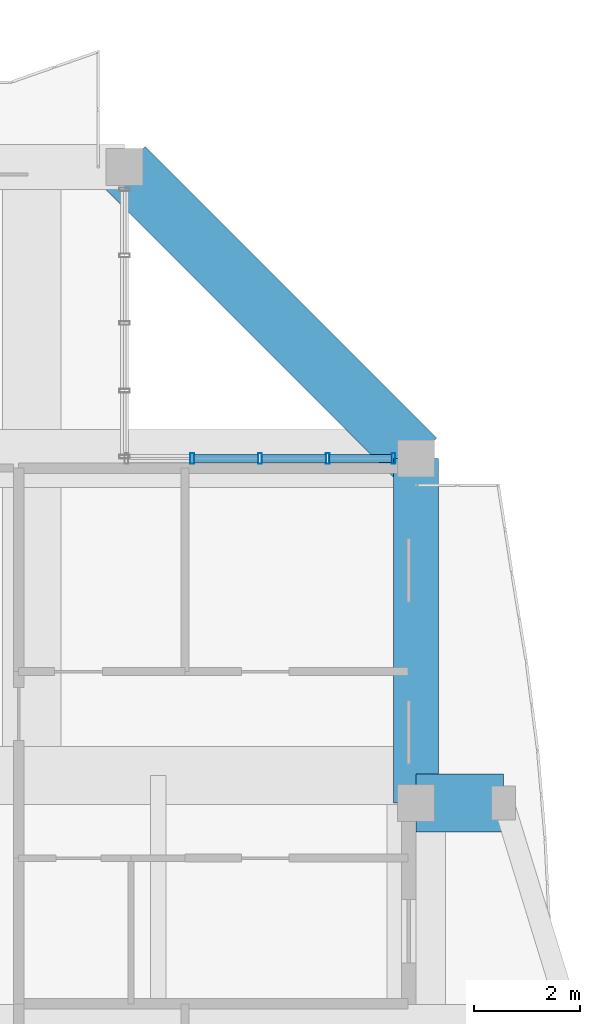
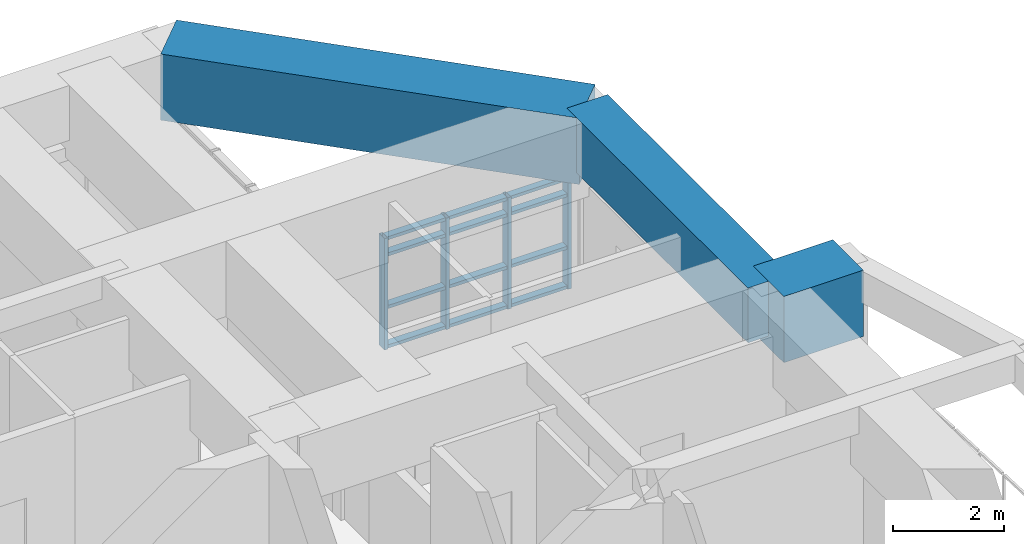
# One storey, part 13 of 27: 16 members, 3 beams, 1 element without a shape of its own.
"""IFC4 building model written with IfcOpenShell, lengths in metres."""

from ifc_helpers import new_model, si_unit, direction, frame, origin, origin_2d, place, context, subcontext, project, spatial, rectangle, hollow_rectangle, extrude, source, transform, mapped, material, layer, layer_set, material_profile, profile_set, type_object, element, aggregate, save


model = new_model("IFC4")

# Units and contexts
model_context = context("Model", 3, precision=1e-05, world=origin(), true_north=direction((0.0, 1.0)))
body_context = subcontext(model_context, "Body", "Model", "MODEL_VIEW")
ifc_project = project(units=[si_unit("LENGTHUNIT", "METRE"), si_unit("AREAUNIT", "SQUARE_METRE"), si_unit("VOLUMEUNIT", "CUBIC_METRE"), si_unit("PLANEANGLEUNIT", "RADIAN"), si_unit("MASSUNIT", "GRAM", prefix="KILO")], contexts=[model_context])

# Site, building, storey
site_placement = place(None, origin())
site = spatial("IfcSite", under=ifc_project, at=site_placement, CompositionType="ELEMENT")
building_placement = place(site_placement, origin())
building = spatial("IfcBuilding", under=site, at=building_placement, Name="Saelheon Loggia Tower", CompositionType="ELEMENT")
storey_placement = place(building_placement, frame((0.0, 0.0, 236.10009765625)))
storey = spatial("IfcBuildingStorey", under=building, at=storey_placement, Name="L73", CompositionType="ELEMENT", Elevation=236.10009765625)

# Beams
ifc_material_1 = material(Name="Concrete C50/60", Category="concrete")
ifc_material_profile_1 = material_profile(ifc_material_1, rectangle(XDim=1.10009765625, YDim=1.449951171875, at=origin_2d()), Name="RC-1100x1450")
ifc_profile_set_1 = profile_set([ifc_material_profile_1], Name="Concrete C50/60")
beam_type_1 = type_object("IfcBeamType", Name="Beam_PerimTransfer_RC1100x1450", PredefinedType="BEAM", material=ifc_profile_set_1)
shared_shape_1 = source(origin(), body_context, "Body", "SweptSolid", [
    extrude(rectangle(XDim=1.10009765625, YDim=1.449951171875, at=origin_2d()), origin(), (0.0, 0.0, 1.0), 1.64990234375),
])
beam_1_placement = place(storey_placement, frame((54.75, 36.0, 3.1748046875), z_axis=(1.0, 0.0, 0.0), x_axis=(0.0, 1.0, 0.0)))
element("IfcBeam", 1, at=beam_1_placement, inside=storey, type_object=beam_type_1, Name="L73 Loggia Frame Tie Beam LP-E2", PredefinedType="BEAM", context=body_context, shape_type="MappedRepresentation", body=[
    mapped(shared_shape_1, transform((0.0, 0.0, 0.0), scale=1.0)),
])
ifc_material_profile_2 = material_profile(ifc_material_1, rectangle(XDim=0.85009765625, YDim=1.199951171875, at=origin_2d()), Name="RC-850x1200")
ifc_profile_set_2 = profile_set([ifc_material_profile_2], Name="Concrete C50/60")
beam_type_2 = type_object("IfcBeamType", Name="Beam_CornerShoulder_RC850x1200", PredefinedType="BEAM", material=ifc_profile_set_2)
shared_shape_2 = source(origin(), body_context, "Body", "SweptSolid", [
    extrude(rectangle(XDim=0.85009765625, YDim=1.199951171875, at=origin_2d()), origin(), (0.0, 0.0, 1.0), 6.5),
])
beam_2_placement = place(storey_placement, frame((54.75, 36.0, 3.2998046875), z_axis=(0.0, 1.0, 0.0), x_axis=(-1.0, 0.0, 0.0)))
element("IfcBeam", 2, at=beam_2_placement, inside=storey, type_object=beam_type_2, Name="L73 Corner Shoulder Beam 07", PredefinedType="BEAM", context=body_context, shape_type="MappedRepresentation", body=[
    mapped(shared_shape_2, transform((0.0, 0.0, 0.0), scale=1.0)),
])
shared_shape_3 = source(origin(), body_context, "Body", "SweptSolid", [
    extrude(rectangle(XDim=1.10009765625, YDim=1.449951171875, at=origin_2d()), origin(), (0.0, 0.0, 1.0), 7.778076171875),
])
beam_3_placement = place(storey_placement, frame((54.75, 42.5, 3.1748046875), z_axis=(-0.707106781187, 0.707106781187, 0.0), x_axis=(-0.707106781187, -0.707106781187, 0.0)))
element("IfcBeam", 3, at=beam_3_placement, inside=storey, type_object=beam_type_1, Name="L73 Perimeter Frame Girder 08", PredefinedType="BEAM", context=body_context, shape_type="MappedRepresentation", body=[
    mapped(shared_shape_3, transform((0.0, 0.0, 0.0), scale=1.0)),
])

# Curtain wall, members
ifc_material_2 = material(Name="High-Wind Aluminium and Triple Laminated Glass", Category="aluminium")
ifc_layer = layer(ifc_material_2, 0.179931640625)
ifc_layer_set = layer_set([ifc_layer], Name="High-Wind Aluminium and Triple Laminated Glass")
curtain_wall_type = type_object("IfcCurtainWallType", Name="CW_TowerLoggiaHigh", PredefinedType="NOTDEFINED", material=ifc_layer_set)
curtain_wall_placement = place(storey_placement, origin())
curtain_wall = element("IfcCurtainWall", 4, at=curtain_wall_placement, inside=storey, type_object=curtain_wall_type, Name="L73 Corner Notch Glazing NE2", PredefinedType="NOTDEFINED")
ifc_material_3 = material(Name="Anodised Aluminium 6063-T6", Category="aluminium")
ifc_material_profile_3 = material_profile(ifc_material_3, hollow_rectangle(XDim=0.070068359375, YDim=0.199951171875, WallThickness=0.0048828125, at=origin_2d()), Name="RHS-200x70x5")
ifc_profile_set_3 = profile_set([ifc_material_profile_3], Name="Anodised Aluminium 6063-T6")
member_type_1 = type_object("IfcMemberType", Name="CW_TowerLoggiaHigh_Mullion", PredefinedType="MULLION", material=ifc_profile_set_3)
shared_shape_4 = source(origin(), body_context, "Body", "SweptSolid", [
    extrude(hollow_rectangle(XDim=0.070068359375, YDim=0.199951171875, WallThickness=0.0048828125, at=origin_2d()), origin(), (0.0, 0.0, 1.0), 2.43994140625),
])
member_1_placement = place(storey_placement, frame((50.527587890625, 42.5, 0.0), z_axis=(0.0, 0.0, 1.0), x_axis=(1.0, 0.0, 0.0)))
member_1 = element("IfcMember", 5, at=member_1_placement, type_object=member_type_1, Name="CW4 mullion 2", PredefinedType="MULLION", context=body_context, shape_type="MappedRepresentation", body=[
    mapped(shared_shape_4, transform((0.0, 0.0, 0.0), scale=1.0)),
])
member_2_placement = place(storey_placement, frame((51.804931640625, 42.5, 0.0), z_axis=(0.0, 0.0, 1.0), x_axis=(1.0, 0.0, 0.0)))
member_2 = element("IfcMember", 6, at=member_2_placement, type_object=member_type_1, Name="CW4 mullion 3", PredefinedType="MULLION", context=body_context, shape_type="MappedRepresentation", body=[
    mapped(shared_shape_4, transform((0.0, 0.0, 0.0), scale=1.0)),
])
member_3_placement = place(storey_placement, frame((53.08251953125, 42.5, 0.0), z_axis=(0.0, 0.0, 1.0), x_axis=(1.0, 0.0, 0.0)))
member_3 = element("IfcMember", 7, at=member_3_placement, type_object=member_type_1, Name="CW4 mullion 4", PredefinedType="MULLION", context=body_context, shape_type="MappedRepresentation", body=[
    mapped(shared_shape_4, transform((0.0, 0.0, 0.0), scale=1.0)),
])
member_4_placement = place(storey_placement, frame((54.324951171875, 42.5, 0.0), z_axis=(0.0, 0.0, 1.0), x_axis=(1.0, 0.0, 0.0)))
member_4 = element("IfcMember", 8, at=member_4_placement, type_object=member_type_1, Name="CW4 mullion 5", PredefinedType="MULLION", context=body_context, shape_type="MappedRepresentation", body=[
    mapped(shared_shape_4, transform((0.0, 0.0, 0.0), scale=1.0)),
])
ifc_material_profile_4 = material_profile(ifc_material_3, hollow_rectangle(XDim=0.070068359375, YDim=0.14990234375, WallThickness=0.0048828125, at=origin_2d()), Name="RHS-150x70x5")
ifc_profile_set_4 = profile_set([ifc_material_profile_4], Name="Anodised Aluminium 6063-T6")
member_type_2 = type_object("IfcMemberType", Name="CW_TowerLoggiaHigh_Transom", PredefinedType="USERDEFINED", material=ifc_profile_set_4)
shared_shape_5 = source(origin(), body_context, "Body", "SweptSolid", [
    extrude(hollow_rectangle(XDim=0.070068359375, YDim=0.14990234375, WallThickness=0.0048828125, at=origin_2d()), origin(), (0.0, 0.0, 1.0), 1.172607421875),
])
member_5_placement = place(storey_placement, frame((53.117431640625, 42.5, 0.034912109375), z_axis=(1.0, 0.0, 0.0), x_axis=(0.0, 0.0, 1.0)))
member_5 = element("IfcMember", 9, at=member_5_placement, type_object=member_type_2, Name="CW4 transom 4.1", ObjectType="TRANSOM", PredefinedType="USERDEFINED", context=body_context, shape_type="MappedRepresentation", body=[
    mapped(shared_shape_5, transform((0.0, 0.0, 0.0), scale=1.0)),
])
member_6_placement = place(storey_placement, frame((53.117431640625, 42.5, 0.89990234375), z_axis=(1.0, 0.0, 0.0), x_axis=(0.0, 0.0, 1.0)))
member_6 = element("IfcMember", 10, at=member_6_placement, type_object=member_type_2, Name="CW4 transom 4.2", ObjectType="TRANSOM", PredefinedType="USERDEFINED", context=body_context, shape_type="MappedRepresentation", body=[
    mapped(shared_shape_5, transform((0.0, 0.0, 0.0), scale=1.0)),
])
member_7_placement = place(storey_placement, frame((53.117431640625, 42.5, 2.0498046875), z_axis=(1.0, 0.0, 0.0), x_axis=(0.0, 0.0, 1.0)))
member_7 = element("IfcMember", 11, at=member_7_placement, type_object=member_type_2, Name="CW4 transom 4.3", ObjectType="TRANSOM", PredefinedType="USERDEFINED", context=body_context, shape_type="MappedRepresentation", body=[
    mapped(shared_shape_5, transform((0.0, 0.0, 0.0), scale=1.0)),
])
member_8_placement = place(storey_placement, frame((53.117431640625, 42.5, 2.40478515625), z_axis=(1.0, 0.0, 0.0), x_axis=(0.0, 0.0, 1.0)))
member_8 = element("IfcMember", 12, at=member_8_placement, type_object=member_type_2, Name="CW4 transom 4.4", ObjectType="TRANSOM", PredefinedType="USERDEFINED", context=body_context, shape_type="MappedRepresentation", body=[
    mapped(shared_shape_5, transform((0.0, 0.0, 0.0), scale=1.0)),
])
shared_shape_6 = source(origin(), body_context, "Body", "SweptSolid", [
    extrude(hollow_rectangle(XDim=0.070068359375, YDim=0.14990234375, WallThickness=0.0048828125, at=origin_2d()), origin(), (0.0, 0.0, 1.0), 1.20751953125),
])
member_9_placement = place(storey_placement, frame((50.5625, 42.5, 0.034912109375), z_axis=(1.0, 0.0, 0.0), x_axis=(0.0, 0.0, 1.0)))
member_9 = element("IfcMember", 13, at=member_9_placement, type_object=member_type_2, Name="CW4 transom 2.1", ObjectType="TRANSOM", PredefinedType="USERDEFINED", context=body_context, shape_type="MappedRepresentation", body=[
    mapped(shared_shape_6, transform((0.0, 0.0, 0.0), scale=1.0)),
])
member_10_placement = place(storey_placement, frame((50.5625, 42.5, 0.89990234375), z_axis=(1.0, 0.0, 0.0), x_axis=(0.0, 0.0, 1.0)))
member_10 = element("IfcMember", 14, at=member_10_placement, type_object=member_type_2, Name="CW4 transom 2.2", ObjectType="TRANSOM", PredefinedType="USERDEFINED", context=body_context, shape_type="MappedRepresentation", body=[
    mapped(shared_shape_6, transform((0.0, 0.0, 0.0), scale=1.0)),
])
member_11_placement = place(storey_placement, frame((50.5625, 42.5, 2.0498046875), z_axis=(1.0, 0.0, 0.0), x_axis=(0.0, 0.0, 1.0)))
member_11 = element("IfcMember", 15, at=member_11_placement, type_object=member_type_2, Name="CW4 transom 2.3", ObjectType="TRANSOM", PredefinedType="USERDEFINED", context=body_context, shape_type="MappedRepresentation", body=[
    mapped(shared_shape_6, transform((0.0, 0.0, 0.0), scale=1.0)),
])
member_12_placement = place(storey_placement, frame((50.5625, 42.5, 2.40478515625), z_axis=(1.0, 0.0, 0.0), x_axis=(0.0, 0.0, 1.0)))
member_12 = element("IfcMember", 16, at=member_12_placement, type_object=member_type_2, Name="CW4 transom 2.4", ObjectType="TRANSOM", PredefinedType="USERDEFINED", context=body_context, shape_type="MappedRepresentation", body=[
    mapped(shared_shape_6, transform((0.0, 0.0, 0.0), scale=1.0)),
])
member_13_placement = place(storey_placement, frame((51.840087890625, 42.5, 0.034912109375), z_axis=(1.0, 0.0, 0.0), x_axis=(0.0, 0.0, 1.0)))
member_13 = element("IfcMember", 17, at=member_13_placement, type_object=member_type_2, Name="CW4 transom 3.1", ObjectType="TRANSOM", PredefinedType="USERDEFINED", context=body_context, shape_type="MappedRepresentation", body=[
    mapped(shared_shape_6, transform((0.0, 0.0, 0.0), scale=1.0)),
])
member_14_placement = place(storey_placement, frame((51.840087890625, 42.5, 0.89990234375), z_axis=(1.0, 0.0, 0.0), x_axis=(0.0, 0.0, 1.0)))
member_14 = element("IfcMember", 18, at=member_14_placement, type_object=member_type_2, Name="CW4 transom 3.2", ObjectType="TRANSOM", PredefinedType="USERDEFINED", context=body_context, shape_type="MappedRepresentation", body=[
    mapped(shared_shape_6, transform((0.0, 0.0, 0.0), scale=1.0)),
])
member_15_placement = place(storey_placement, frame((51.840087890625, 42.5, 2.0498046875), z_axis=(1.0, 0.0, 0.0), x_axis=(0.0, 0.0, 1.0)))
member_15 = element("IfcMember", 19, at=member_15_placement, type_object=member_type_2, Name="CW4 transom 3.3", ObjectType="TRANSOM", PredefinedType="USERDEFINED", context=body_context, shape_type="MappedRepresentation", body=[
    mapped(shared_shape_6, transform((0.0, 0.0, 0.0), scale=1.0)),
])
member_16_placement = place(storey_placement, frame((51.840087890625, 42.5, 2.40478515625), z_axis=(1.0, 0.0, 0.0), x_axis=(0.0, 0.0, 1.0)))
member_16 = element("IfcMember", 20, at=member_16_placement, type_object=member_type_2, Name="CW4 transom 3.4", ObjectType="TRANSOM", PredefinedType="USERDEFINED", context=body_context, shape_type="MappedRepresentation", body=[
    mapped(shared_shape_6, transform((0.0, 0.0, 0.0), scale=1.0)),
])
aggregate(curtain_wall, [member_1, member_2, member_3, member_4, member_9, member_10, member_11, member_12, member_13, member_14, member_15, member_16, member_5, member_6, member_7, member_8])

save(model, "model.ifc")
